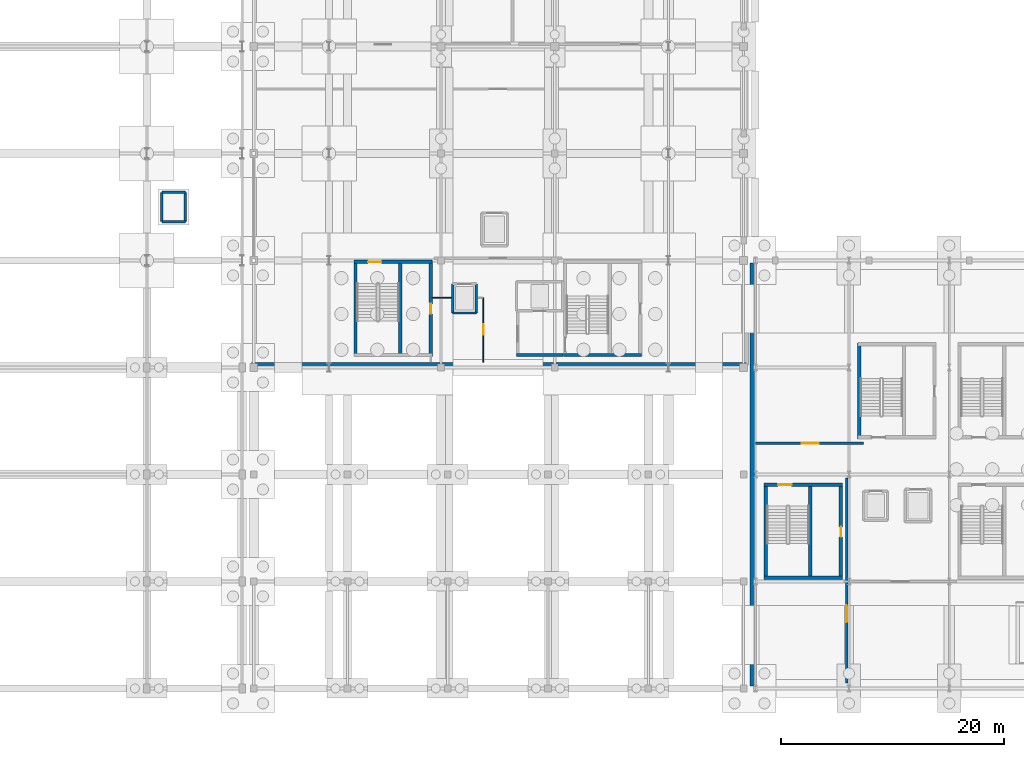
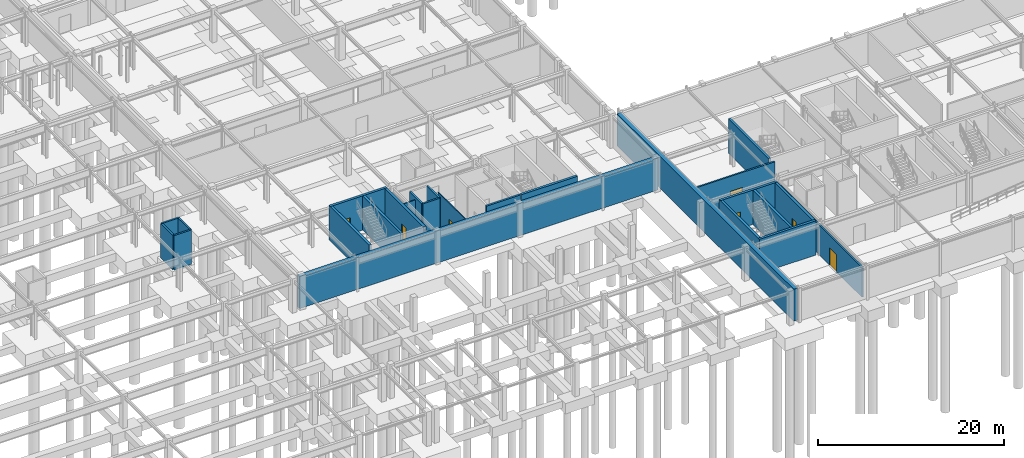
# One storey, part 40 of 59: 25 walls, 7 doors, 7 openings.
"""IFC4 building model written with IfcOpenShell, lengths in metres."""

from ifc_helpers import new_model, si_unit, direction, frame, frame_2d, origin, place, context, subcontext, project, spatial, rectangle, extrude, material, layer, layer_set, type_object, element, fill, save


model = new_model("IFC4")

# Units and contexts
model_context = context("Model", 3, precision=1e-05, world=origin(), true_north=direction((0.0, 1.0)))
body_context = subcontext(model_context, "Body", "Model", "MODEL_VIEW")
ifc_project = project(units=[si_unit("LENGTHUNIT", "METRE"), si_unit("AREAUNIT", "SQUARE_METRE"), si_unit("VOLUMEUNIT", "CUBIC_METRE"), si_unit("PLANEANGLEUNIT", "RADIAN"), si_unit("MASSUNIT", "GRAM", prefix="KILO")], contexts=[model_context])

# Site, building, storey
site_placement = place(None, origin())
site = spatial("IfcSite", under=ifc_project, at=site_placement, CompositionType="ELEMENT")
building_placement = place(site_placement, origin())
building = spatial("IfcBuilding", under=site, at=building_placement, Name="Myrtia Square Station", CompositionType="ELEMENT")
storey_placement = place(building_placement, frame((0.0, 0.0, -4.5)))
storey = spatial("IfcBuildingStorey", under=building, at=storey_placement, Name="B01", CompositionType="ELEMENT", Elevation=-4.5)

# Wall, opening, door
ifc_material_1 = material(Name="Concrete C35/45", Category="concrete")
ifc_layer_1 = layer(ifc_material_1, 0.300048828125, Name="Concrete C35/45")
ifc_layer_set_1 = layer_set([ifc_layer_1], Name="Concrete C35/45")
wall_type_1 = type_object("IfcWallType", Name="WL-CORE-300", PredefinedType="SHEAR", material=ifc_layer_set_1)
wall_1_placement = place(storey_placement, frame((81.60009765625, 38.27490234375, 0.0), z_axis=(0.0, 0.0, 1.0), x_axis=(1.0, 0.0, 0.0)))
wall_1 = element("IfcWall", 1, at=wall_1_placement, inside=storey, type_object=wall_type_1, Name="Core K1 shear wall B01 N", PredefinedType="SHEAR", context=body_context, shape_type="SweptSolid", body=[
    extrude(rectangle(XDim=7.0, YDim=0.300048828125, at=frame_2d((3.5, 0.0))), origin(), (0.0, 0.0, 1.0), 4.5),
])
opening_1_placement = place(wall_1_placement, frame((1.25, 0.0, 0.0)))
opening_1 = element("IfcOpeningElement", 2, at=opening_1_placement, cuts=wall_1, Name="Opening SD-001", PredefinedType="OPENING", context=body_context, shape_type="SweptSolid", body=[
    extrude(rectangle(XDim=1.199951171875, YDim=2.14990234375, at=frame_2d((0.60009765625, 1.074951171875))), frame((0.0, 0.1650390625, 0.0), z_axis=(0.0, -1.0, 0.0), x_axis=(1.0, 0.0, 0.0)), (0.0, 0.0, 1.0), 0.330078125),
])
ifc_material_2 = material(Name="Dark bronze anodised aluminium", Category="aluminium")
door_type_1 = type_object("IfcDoorType", Name="DR-STAIR-1200x2150", OperationType="NOTDEFINED", PredefinedType="DOOR", material=ifc_material_2)
door_1_placement = place(opening_1_placement, frame((1.199951171875, 0.0, 0.0), z_axis=(0.0, 0.0, 1.0), x_axis=(-1.0, 0.0, 0.0)))
door_1 = element("IfcDoor", 3, at=door_1_placement, inside=storey, type_object=door_type_1, Name="Protected stair fire door K1 B01", OperationType="SINGLE_SWING_LEFT", OverallHeight=2.14990234375, OverallWidth=1.199951171875, PredefinedType="DOOR", context=body_context, shape_type="SweptSolid", body=[
    extrude(rectangle(XDim=1.199951171875, YDim=2.14990234375, at=frame_2d((0.60009765625, 1.074951171875))), frame((0.0, 0.02490234375, 0.0), z_axis=(0.0, -1.0, 0.0), x_axis=(1.0, 0.0, 0.0)), (0.0, 0.0, 1.0), 0.050048828125),
])
fill(opening_1, door_1)

# Wall
wall_2_placement = place(storey_placement, frame((81.72509765625, 29.800048828125, 0.0), z_axis=(0.0, 0.0, 1.0), x_axis=(0.0, 1.0, 0.0)))
element("IfcWall", 4, at=wall_2_placement, inside=storey, type_object=wall_type_1, Name="Core K1 shear wall B01 W", PredefinedType="SHEAR", context=body_context, shape_type="SweptSolid", body=[
    extrude(rectangle(XDim=8.599853515625, YDim=0.300048828125, at=frame_2d((4.2998046875, 0.0))), origin(), (0.0, 0.0, 1.0), 4.5),
])

# Wall, opening, door
wall_3_placement = place(storey_placement, frame((88.47509765625, 29.800048828125, 0.0), z_axis=(0.0, 0.0, 1.0), x_axis=(0.0, 1.0, 0.0)))
wall_3 = element("IfcWall", 5, at=wall_3_placement, inside=storey, type_object=wall_type_1, Name="Core K1 shear wall B01 E", PredefinedType="SHEAR", context=body_context, shape_type="SweptSolid", body=[
    extrude(rectangle(XDim=8.599853515625, YDim=0.300048828125, at=frame_2d((4.2998046875, 0.0))), origin(), (0.0, 0.0, 1.0), 4.5),
])
opening_2_placement = place(wall_3_placement, frame((3.800048828125, 0.0, 0.0)))
opening_2 = element("IfcOpeningElement", 6, at=opening_2_placement, cuts=wall_3, Name="Opening RD-002", PredefinedType="OPENING", context=body_context, shape_type="SweptSolid", body=[
    extrude(rectangle(XDim=0.89990234375, YDim=2.050048828125, at=frame_2d((0.449951171875, 1.02490234375))), frame((0.0, 0.1650390625, 0.0), z_axis=(0.0, -1.0, 0.0), x_axis=(1.0, 0.0, 0.0)), (0.0, 0.0, 1.0), 0.330078125),
])
door_type_2 = type_object("IfcDoorType", Name="DR-RISER-900x2050", OperationType="NOTDEFINED", PredefinedType="DOOR", material=ifc_material_2)
door_2_placement = place(opening_2_placement, origin())
door_2 = element("IfcDoor", 7, at=door_2_placement, inside=storey, type_object=door_type_2, Name="Riser cupboard access door K1 B01", OperationType="SINGLE_SWING_RIGHT", OverallHeight=2.050048828125, OverallWidth=0.89990234375, PredefinedType="DOOR", context=body_context, shape_type="SweptSolid", body=[
    extrude(rectangle(XDim=0.89990234375, YDim=2.050048828125, at=frame_2d((0.449951171875, 1.02490234375))), frame((0.0, 0.02490234375, 0.0), z_axis=(0.0, -1.0, 0.0), x_axis=(1.0, 0.0, 0.0)), (0.0, 0.0, 1.0), 0.050048828125),
])
fill(opening_2, door_2)

# Walls
wall_4_placement = place(storey_placement, frame((85.739990234375, 30.0, 0.0), z_axis=(0.0, 0.0, 1.0), x_axis=(0.0, 1.0, 0.0)))
element("IfcWall", 8, at=wall_4_placement, inside=storey, type_object=wall_type_1, Name="Core K1 shear wall B01 D", PredefinedType="SHEAR", context=body_context, shape_type="SweptSolid", body=[
    extrude(rectangle(XDim=8.199951171875, YDim=0.300048828125, at=frame_2d((4.10009765625, 0.0))), origin(), (0.0, 0.0, 1.0), 4.5),
])
for number, where, z_axis, x_axis, name in (
    (9, (100.39990234375, 29.925048828125, 0.0), (0.0, 0.0, 1.0), (1.0, 0.0, 0.0), "Core K3 shear wall B01 S"),
    (10, (118.39990234375, 9.925048828125, 0.0), (0.0, 0.0, 1.0), (1.0, 0.0, 0.0), "Core K5 shear wall B01 S"),
):
    element("IfcWall", number, at=place(storey_placement, frame(where, z_axis=z_axis, x_axis=x_axis)), inside=storey, type_object=wall_type_1, Name=name, PredefinedType="SHEAR", context=body_context, shape_type="SweptSolid", body=[
        extrude(rectangle(XDim=7.0, YDim=0.300048828125, at=frame_2d((3.5, 0.0))), origin(), (0.0, 0.0, 1.0), 4.5),
    ])

# Wall, opening, door
wall_5_placement = place(storey_placement, frame((118.39990234375, 18.27490234375, 0.0), z_axis=(0.0, 0.0, 1.0), x_axis=(1.0, 0.0, 0.0)))
wall_5 = element("IfcWall", 11, at=wall_5_placement, inside=storey, type_object=wall_type_1, Name="Core K5 shear wall B01 N", PredefinedType="SHEAR", context=body_context, shape_type="SweptSolid", body=[
    extrude(rectangle(XDim=7.0, YDim=0.300048828125, at=frame_2d((3.5, 0.0))), origin(), (0.0, 0.0, 1.0), 4.5),
])
opening_3_placement = place(wall_5_placement, frame((1.25, 0.0, 0.0)))
opening_3 = element("IfcOpeningElement", 12, at=opening_3_placement, cuts=wall_5, Name="Opening SD-051", PredefinedType="OPENING", context=body_context, shape_type="SweptSolid", body=[
    extrude(rectangle(XDim=1.199951171875, YDim=2.14990234375, at=frame_2d((0.60009765625, 1.074951171875))), frame((0.0, 0.1650390625, 0.0), z_axis=(0.0, -1.0, 0.0), x_axis=(1.0, 0.0, 0.0)), (0.0, 0.0, 1.0), 0.330078125),
])
door_3_placement = place(opening_3_placement, frame((1.199951171875, 0.0, 0.0), z_axis=(0.0, 0.0, 1.0), x_axis=(-1.0, 0.0, 0.0)))
door_3 = element("IfcDoor", 13, at=door_3_placement, inside=storey, type_object=door_type_1, Name="Protected stair fire door K5 B01", OperationType="SINGLE_SWING_LEFT", OverallHeight=2.14990234375, OverallWidth=1.199951171875, PredefinedType="DOOR", context=body_context, shape_type="SweptSolid", body=[
    extrude(rectangle(XDim=1.199951171875, YDim=2.14990234375, at=frame_2d((0.60009765625, 1.074951171875))), frame((0.0, 0.02490234375, 0.0), z_axis=(0.0, -1.0, 0.0), x_axis=(1.0, 0.0, 0.0)), (0.0, 0.0, 1.0), 0.050048828125),
])
fill(opening_3, door_3)

# Wall
wall_6_placement = place(storey_placement, frame((118.52490234375, 9.800048828125, 0.0), z_axis=(0.0, 0.0, 1.0), x_axis=(0.0, 1.0, 0.0)))
element("IfcWall", 14, at=wall_6_placement, inside=storey, type_object=wall_type_1, Name="Core K5 shear wall B01 W", PredefinedType="SHEAR", context=body_context, shape_type="SweptSolid", body=[
    extrude(rectangle(XDim=8.599853515625, YDim=0.300048828125, at=frame_2d((4.2998046875, 0.0))), origin(), (0.0, 0.0, 1.0), 4.5),
])

# Wall, opening, door
wall_7_placement = place(storey_placement, frame((125.27490234375, 9.800048828125, 0.0), z_axis=(0.0, 0.0, 1.0), x_axis=(0.0, 1.0, 0.0)))
wall_7 = element("IfcWall", 15, at=wall_7_placement, inside=storey, type_object=wall_type_1, Name="Core K5 shear wall B01 E", PredefinedType="SHEAR", context=body_context, shape_type="SweptSolid", body=[
    extrude(rectangle(XDim=8.599853515625, YDim=0.300048828125, at=frame_2d((4.2998046875, 0.0))), origin(), (0.0, 0.0, 1.0), 4.5),
])
opening_4_placement = place(wall_7_placement, frame((3.800048828125, 0.0, 0.0)))
opening_4 = element("IfcOpeningElement", 16, at=opening_4_placement, cuts=wall_7, Name="Opening RD-052", PredefinedType="OPENING", context=body_context, shape_type="SweptSolid", body=[
    extrude(rectangle(XDim=0.89990234375, YDim=2.050048828125, at=frame_2d((0.449951171875, 1.02490234375))), frame((0.0, 0.1650390625, 0.0), z_axis=(0.0, -1.0, 0.0), x_axis=(1.0, 0.0, 0.0)), (0.0, 0.0, 1.0), 0.330078125),
])
door_4_placement = place(opening_4_placement, origin())
door_4 = element("IfcDoor", 17, at=door_4_placement, inside=storey, type_object=door_type_2, Name="Riser cupboard access door K5 B01", OperationType="SINGLE_SWING_RIGHT", OverallHeight=2.050048828125, OverallWidth=0.89990234375, PredefinedType="DOOR", context=body_context, shape_type="SweptSolid", body=[
    extrude(rectangle(XDim=0.89990234375, YDim=2.050048828125, at=frame_2d((0.449951171875, 1.02490234375))), frame((0.0, 0.02490234375, 0.0), z_axis=(0.0, -1.0, 0.0), x_axis=(1.0, 0.0, 0.0)), (0.0, 0.0, 1.0), 0.050048828125),
])
fill(opening_4, door_4)

# Walls
wall_8_placement = place(storey_placement, frame((122.5400390625, 10.0, 0.0), z_axis=(0.0, 0.0, 1.0), x_axis=(0.0, 1.0, 0.0)))
element("IfcWall", 18, at=wall_8_placement, inside=storey, type_object=wall_type_1, Name="Core K5 shear wall B01 D", PredefinedType="SHEAR", context=body_context, shape_type="SweptSolid", body=[
    extrude(rectangle(XDim=8.199951171875, YDim=0.300048828125, at=frame_2d((4.10009765625, 0.0))), origin(), (0.0, 0.0, 1.0), 4.5),
])
wall_9_placement = place(storey_placement, frame((126.925048828125, 22.39990234375, 0.0), z_axis=(0.0, 0.0, 1.0), x_axis=(0.0, 1.0, 0.0)))
element("IfcWall", 19, at=wall_9_placement, inside=storey, type_object=wall_type_1, Name="Core K10 shear wall B01 W", PredefinedType="SHEAR", context=body_context, shape_type="SweptSolid", body=[
    extrude(rectangle(XDim=8.60009765625, YDim=0.300048828125, at=frame_2d((4.300048828125, 0.0))), origin(), (0.0, 0.0, 1.0), 4.5),
])
ifc_layer_2 = layer(ifc_material_1, 0.239990234375, Name="Concrete C35/45")
ifc_layer_set_2 = layer_set([ifc_layer_2], Name="Concrete C35/45")
wall_type_2 = type_object("IfcWallType", Name="WL-FFL-240", PredefinedType="SHEAR", material=ifc_layer_set_2)
wall_10_placement = place(storey_placement, frame((96.14990234375, 29.919921875, 0.0), z_axis=(0.0, 0.0, 1.0), x_axis=(1.0, 0.0, 0.0)))
element("IfcWall", 20, at=wall_10_placement, inside=storey, type_object=wall_type_2, Name="Firefighting lift lobby EI 120 wall K3 B01 S", PredefinedType="SHEAR", context=body_context, shape_type="SweptSolid", body=[
    extrude(rectangle(XDim=4.2001953125, YDim=0.239990234375, at=frame_2d((2.10009765625, 0.0))), origin(), (0.0, 0.0, 1.0), 4.5),
])
ifc_layer_3 = layer(ifc_material_1, 0.219970703125, Name="Concrete C35/45")
ifc_layer_set_3 = layer_set([ifc_layer_3], Name="Concrete C35/45")
wall_type_3 = type_object("IfcWallType", Name="WL-LIFT-220", PredefinedType="SHEAR", material=ifc_layer_set_3)
for number, where, z_axis, x_axis, name in (
    (21, (64.340087890625, 41.889892578125, 0.0), (0.0, 0.0, 1.0), (1.0, 0.0, 0.0), "Lift shaft wall PL-04 B01 -Y"),
    (22, (64.340087890625, 44.510009765625, 0.0), (0.0, 0.0, 1.0), (1.0, 0.0, 0.0), "Lift shaft wall PL-04 B01 +Y"),
):
    element("IfcWall", number, at=place(storey_placement, frame(where, z_axis=z_axis, x_axis=x_axis)), inside=storey, type_object=wall_type_3, Name=name, PredefinedType="SHEAR", context=body_context, shape_type="SweptSolid", body=[
        extrude(rectangle(XDim=2.119873046875, YDim=0.219970703125, at=frame_2d((1.06005859375, 0.0))), origin(), (0.0, 0.0, 1.0), 4.5),
    ])
for number, where, z_axis, x_axis, name in (
    (23, (64.340087890625, 41.889892578125, 0.0), (0.0, 0.0, 1.0), (0.0, 1.0, 0.0), "Lift shaft wall PL-04 B01 -X"),
    (24, (66.4599609375, 41.889892578125, 0.0), (0.0, 0.0, 1.0), (0.0, 1.0, 0.0), "Lift shaft wall PL-04 B01 +X"),
):
    element("IfcWall", number, at=place(storey_placement, frame(where, z_axis=z_axis, x_axis=x_axis)), inside=storey, type_object=wall_type_3, Name=name, PredefinedType="SHEAR", context=body_context, shape_type="SweptSolid", body=[
        extrude(rectangle(XDim=2.6201171875, YDim=0.219970703125, at=frame_2d((1.31005859375, 0.0))), origin(), (0.0, 0.0, 1.0), 4.5),
    ])
wall_11_placement = place(storey_placement, frame((90.43994140625, 33.68994140625, 0.0), z_axis=(0.0, 0.0, 1.0), x_axis=(1.0, 0.0, 0.0)))
element("IfcWall", 25, at=wall_11_placement, inside=storey, type_object=wall_type_3, Name="Lift shaft wall PL-05 B01 -Y", PredefinedType="SHEAR", context=body_context, shape_type="SweptSolid", body=[
    extrude(rectangle(XDim=2.1201171875, YDim=0.219970703125, at=frame_2d((1.06005859375, 0.0))), origin(), (0.0, 0.0, 1.0), 4.5),
])
for number, where, z_axis, x_axis, name in (
    (26, (90.43994140625, 33.68994140625, 0.0), (0.0, 0.0, 1.0), (0.0, 1.0, 0.0), "Lift shaft wall PL-05 B01 -X"),
    (27, (92.56005859375, 33.68994140625, 0.0), (0.0, 0.0, 1.0), (0.0, 1.0, 0.0), "Lift shaft wall PL-05 B01 +X"),
):
    element("IfcWall", number, at=place(storey_placement, frame(where, z_axis=z_axis, x_axis=x_axis)), inside=storey, type_object=wall_type_3, Name=name, PredefinedType="SHEAR", context=body_context, shape_type="SweptSolid", body=[
        extrude(rectangle(XDim=2.6201171875, YDim=0.219970703125, at=frame_2d((1.31005859375, 0.0))), origin(), (0.0, 0.0, 1.0), 4.5),
    ])

# Wall, opening, door
ifc_material_3 = material(Name="Gypsum plasterboard")
ifc_layer_4 = layer(ifc_material_3, 0.10009765625, Name="Gypsum plasterboard")
ifc_layer_set_4 = layer_set([ifc_layer_4], Name="Gypsum plasterboard")
wall_type_4 = type_object("IfcWallType", Name="WL-PART-100", PredefinedType="PARTITIONING", material=ifc_layer_set_4)
wall_12_placement = place(storey_placement, frame((93.199951171875, 29.25, 0.0), z_axis=(0.0, 0.0, 1.0), x_axis=(0.0, 1.0, 0.0)))
wall_12 = element("IfcWall", 28, at=wall_12_placement, inside=storey, type_object=wall_type_4, Name="Interior partition wall B01-05", PredefinedType="PARTITIONING", context=body_context, shape_type="SweptSolid", body=[
    extrude(rectangle(XDim=5.800048828125, YDim=0.10009765625, at=frame_2d((2.89990234375, 0.0))), origin(), (0.0, 0.0, 1.0), 4.199951171875),
])
opening_5_placement = place(wall_12_placement, frame((2.47509765625, 0.0, 0.0)))
opening_5 = element("IfcOpeningElement", 29, at=opening_5_placement, cuts=wall_12, Name="Opening D-202", PredefinedType="OPENING", context=body_context, shape_type="SweptSolid", body=[
    extrude(rectangle(XDim=0.949951171875, YDim=2.10009765625, at=frame_2d((0.47509765625, 1.050048828125))), frame((0.0, 0.06494140625, 0.0), z_axis=(0.0, -1.0, 0.0), x_axis=(1.0, 0.0, 0.0)), (0.0, 0.0, 1.0), 0.130126953125),
])
ifc_material_4 = material(Name="Acoustic European oak timber", Category="wood")
door_type_3 = type_object("IfcDoorType", Name="DR-WC-950x2100", OperationType="NOTDEFINED", PredefinedType="DOOR", material=ifc_material_4)
door_5_placement = place(opening_5_placement, frame((0.949951171875, 0.0, 0.0), z_axis=(0.0, 0.0, 1.0), x_axis=(-1.0, 0.0, 0.0)))
door_5 = element("IfcDoor", 30, at=door_5_placement, inside=storey, type_object=door_type_3, Name="Basement Staff Sanitary and Accessible WC door D-202", OperationType="SINGLE_SWING_RIGHT", OverallHeight=2.10009765625, OverallWidth=0.949951171875, PredefinedType="DOOR", context=body_context, shape_type="SweptSolid", body=[
    extrude(rectangle(XDim=0.949951171875, YDim=2.10009765625, at=frame_2d((0.47509765625, 1.050048828125))), frame((0.0, 0.02490234375, 0.0), z_axis=(0.0, -1.0, 0.0), x_axis=(1.0, 0.0, 0.0)), (0.0, 0.0, 1.0), 0.050048828125),
])
fill(opening_5, door_5)

# Wall
wall_13_placement = place(storey_placement, frame((88.6298828125, 35.050048828125, 0.0), z_axis=(0.0, 0.0, 1.0), x_axis=(1.0, 0.0, 0.0)))
element("IfcWall", 31, at=wall_13_placement, inside=storey, type_object=wall_type_4, Name="Sanitary enclosure partition B01-05", PredefinedType="PARTITIONING", context=body_context, shape_type="SweptSolid", body=[
    extrude(rectangle(XDim=1.690185546875, YDim=0.10009765625, at=frame_2d((0.84521484375, 0.0))), origin(), (0.0, 0.0, 1.0), 4.199951171875),
])

# Wall, opening, door
ifc_material_5 = material(Name="Cream lime stucco on clay brick masonry", Category="masonry")
ifc_layer_5 = layer(ifc_material_5, 0.199951171875, Name="Cream lime stucco on clay brick masonry")
ifc_layer_set_5 = layer_set([ifc_layer_5], Name="Cream lime stucco on clay brick masonry")
wall_type_5 = type_object("IfcWallType", Name="WL-PART-200", PredefinedType="PARTITIONING", material=ifc_layer_set_5)
wall_14_placement = place(storey_placement, frame((125.800048828125, 0.47509765625, 0.0), z_axis=(0.0, 0.0, 1.0), x_axis=(0.0, 1.0, 0.0)))
wall_14 = element("IfcWall", 32, at=wall_14_placement, inside=storey, type_object=wall_type_5, Name="Interior partition wall B01-06", PredefinedType="PARTITIONING", context=body_context, shape_type="SweptSolid", body=[
    extrude(rectangle(XDim=18.419921875, YDim=0.199951171875, at=frame_2d((9.2099609375, 0.0))), origin(), (0.0, 0.0, 1.0), 3.909912109375),
])
opening_6_placement = place(wall_14_placement, frame((5.47509765625, 0.0, 0.0)))
opening_6 = element("IfcOpeningElement", 33, at=opening_6_placement, cuts=wall_14, Name="Opening D-203", PredefinedType="OPENING", context=body_context, shape_type="SweptSolid", body=[
    extrude(rectangle(XDim=1.5, YDim=2.25, at=frame_2d((0.75, 1.125))), frame((0.0, 0.114990234375, 0.0), z_axis=(0.0, -1.0, 0.0), x_axis=(1.0, 0.0, 0.0)), (0.0, 0.0, 1.0), 0.22998046875),
])
door_type_4 = type_object("IfcDoorType", Name="DR-PLANT-1500x2250", OperationType="NOTDEFINED", PredefinedType="DOOR", material=ifc_material_2)
door_6_placement = place(opening_6_placement, origin())
door_6 = element("IfcDoor", 34, at=door_6_placement, inside=storey, type_object=door_type_4, Name="Service Loading Dock and Goods Receiving Bay door D-203", OperationType="SINGLE_SWING_LEFT", OverallHeight=2.25, OverallWidth=1.5, PredefinedType="DOOR", context=body_context, shape_type="SweptSolid", body=[
    extrude(rectangle(XDim=1.5, YDim=2.25, at=frame_2d((0.75, 1.125))), frame((0.0, 0.02490234375, 0.0), z_axis=(0.0, -1.0, 0.0), x_axis=(1.0, 0.0, 0.0)), (0.0, 0.0, 1.0), 0.050048828125),
])
fill(opening_6, door_6)

wall_15_placement = place(storey_placement, frame((117.635009765625, 22.0, 0.0), z_axis=(0.0, 0.0, 1.0), x_axis=(1.0, 0.0, 0.0)))
wall_15 = element("IfcWall", 35, at=wall_15_placement, inside=storey, type_object=wall_type_5, Name="Interior partition wall B01-07", PredefinedType="PARTITIONING", context=body_context, shape_type="SweptSolid", body=[
    extrude(rectangle(XDim=9.6650390625, YDim=0.199951171875, at=frame_2d((4.83251953125, 0.0))), origin(), (0.0, 0.0, 1.0), 4.199951171875),
])
opening_7_placement = place(wall_15_placement, frame((4.139892578125, 0.0, 0.0)))
opening_7 = element("IfcOpeningElement", 36, at=opening_7_placement, cuts=wall_15, Name="Opening D-204", PredefinedType="OPENING", context=body_context, shape_type="SweptSolid", body=[
    extrude(rectangle(XDim=1.5, YDim=2.25, at=frame_2d((0.75, 1.125))), frame((0.0, 0.114990234375, 0.0), z_axis=(0.0, -1.0, 0.0), x_axis=(1.0, 0.0, 0.0)), (0.0, 0.0, 1.0), 0.22998046875),
])
door_7_placement = place(opening_7_placement, frame((1.5, 0.0, 0.0), z_axis=(0.0, 0.0, 1.0), x_axis=(-1.0, 0.0, 0.0)))
door_7 = element("IfcDoor", 37, at=door_7_placement, inside=storey, type_object=door_type_4, Name="Retail Dry Stockroom West door D-204", OperationType="SINGLE_SWING_RIGHT", OverallHeight=2.25, OverallWidth=1.5, PredefinedType="DOOR", context=body_context, shape_type="SweptSolid", body=[
    extrude(rectangle(XDim=1.5, YDim=2.25, at=frame_2d((0.75, 1.125))), frame((0.0, 0.02490234375, 0.0), z_axis=(0.0, -1.0, 0.0), x_axis=(1.0, 0.0, 0.0)), (0.0, 0.0, 1.0), 0.050048828125),
])
fill(opening_7, door_7)

# Walls
ifc_layer_6 = layer(ifc_material_1, 0.449951171875, Name="Concrete C35/45")
ifc_layer_set_6 = layer_set([ifc_layer_6], Name="Concrete C35/45")
wall_type_6 = type_object("IfcWallType", Name="WL-RET-450", PredefinedType="SHEAR", material=ifc_layer_set_6)
wall_16_placement = place(storey_placement, frame((72.3798828125, 29.02001953125, 0.0), z_axis=(0.0, 0.0, 1.0), x_axis=(1.0, 0.0, 0.0)))
element("IfcWall", 38, at=wall_16_placement, inside=storey, type_object=wall_type_6, Name="Basement retaining wall V2-01", PredefinedType="SHEAR", context=body_context, shape_type="SweptSolid", body=[
    extrude(rectangle(XDim=44.400146484375, YDim=0.449951171875, at=frame_2d((22.2001953125, 0.0))), origin(), (0.0, 0.0, 1.0), 4.199951171875),
])
ifc_layer_7 = layer(ifc_material_1, 0.5, Name="Concrete C35/45")
ifc_layer_set_7 = layer_set([ifc_layer_7], Name="Concrete C35/45")
wall_type_7 = type_object("IfcWallType", Name="WL-RET-500", PredefinedType="SHEAR", material=ifc_layer_set_7)
wall_17_placement = place(storey_placement, frame((117.3798828125, 38.179931640625, 0.0), z_axis=(0.0, 0.0, 1.0), x_axis=(0.0, -1.0, 0.0)))
element("IfcWall", 39, at=wall_17_placement, inside=storey, type_object=wall_type_7, Name="Basement retaining wall V4-08", PredefinedType="SHEAR", context=body_context, shape_type="SweptSolid", body=[
    extrude(rectangle(XDim=37.9599609375, YDim=0.5, at=frame_2d((18.97998046875, 0.0))), origin(), (0.0, 0.0, 1.0), 4.199951171875),
])

save(model, "model.ifc")
